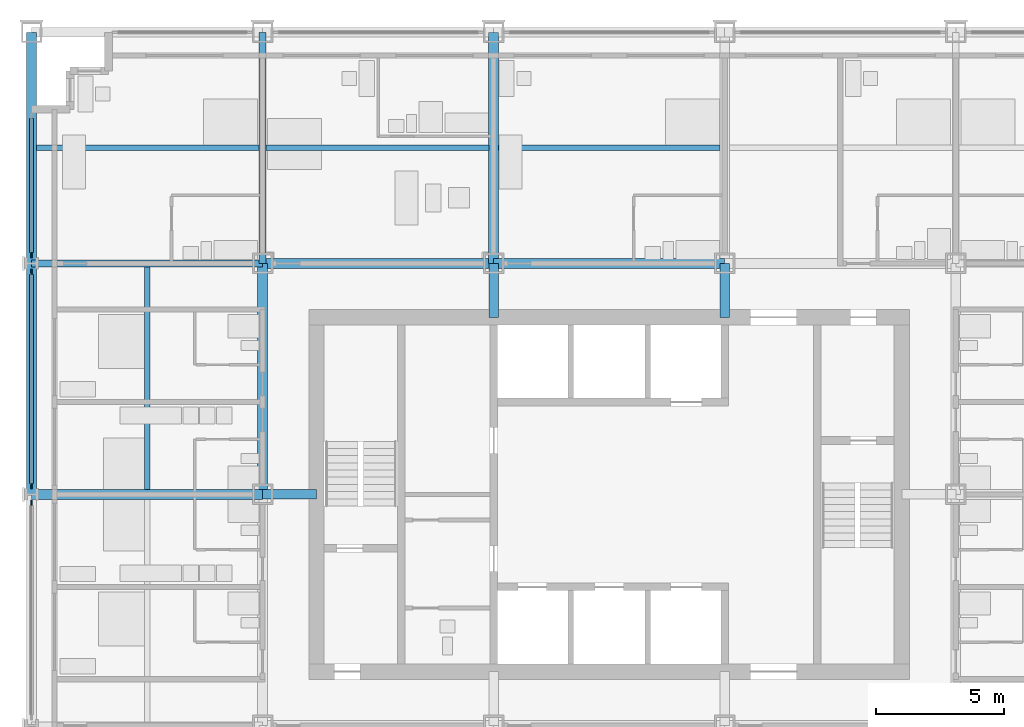
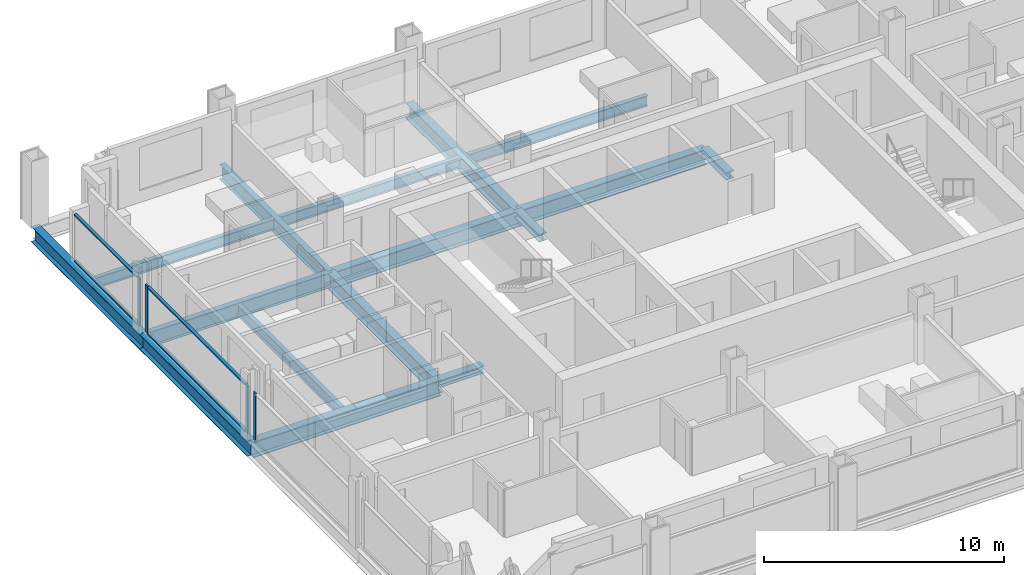
# One storey, part 4 of 16: 13 beams, 11 members, 3 elements without a shape of their own.
"""IFC4 building model written with IfcOpenShell, lengths in metres."""

from ifc_helpers import new_model, si_unit, direction, frame, origin, origin_2d, place, context, subcontext, project, spatial, rectangle, i_section, extrude, material, material_profile, profile_set, type_object, element, aggregate, save


model = new_model("IFC4")

# Units and contexts
model_context = context("Model", 3, precision=1e-05, world=origin(), true_north=direction((0.0, 1.0)))
body_context = subcontext(model_context, "Body", "Model", "MODEL_VIEW")
ifc_project = project(units=[si_unit("LENGTHUNIT", "METRE"), si_unit("AREAUNIT", "SQUARE_METRE"), si_unit("VOLUMEUNIT", "CUBIC_METRE"), si_unit("PLANEANGLEUNIT", "RADIAN"), si_unit("MASSUNIT", "GRAM", prefix="KILO")], contexts=[model_context])

# Site, building, storey
site_placement = place(None, origin())
site = spatial("IfcSite", under=ifc_project, at=site_placement, CompositionType="ELEMENT")
building_placement = place(site_placement, origin())
building = spatial("IfcBuilding", under=site, at=building_placement, Name="Loomwork Tower", CompositionType="ELEMENT")
storey_placement = place(building_placement, frame((0.0, 0.0, 107.800048828125)))
storey = spatial("IfcBuildingStorey", under=building, at=storey_placement, Name="L28", CompositionType="ELEMENT", Elevation=107.800048828125)

# Beams
ifc_material_1 = material(Name="Steel ASTM A992", Category="steel")
ifc_material_profile_1 = material_profile(ifc_material_1, i_section(OverallWidth=0.383544921875, OverallDepth=0.794921875, WebThickness=0.02099609375, FlangeThickness=0.0380859375, at=origin_2d()), Name="W30x235")
ifc_profile_set_1 = profile_set([ifc_material_profile_1], Name="Steel ASTM A992")
beam_type_1 = type_object("IfcBeamType", Name="CORE FLANK GIRDER W30x235", PredefinedType="BEAM", material=ifc_profile_set_1)
for number, where, z_axis, x_axis, name in (
    (1, (0.0, 18.0, -0.59765625), (1.0, 0.0, 0.0), (0.0, 1.0, 0.0), "Core Flank Girder F/2-F/3 L28"),
    (2, (9.0, 27.0, -0.59765625), (1.0, 0.0, 0.0), (0.0, 1.0, 0.0), "Core Flank Girder G/3-G/4 L28"),
    (3, (18.0, 27.0, -0.59765625), (1.0, 0.0, 0.0), (0.0, 1.0, 0.0), "Core Flank Girder G/4-G/5 L28"),
    (4, (9.0, 18.0, -0.59765625), (0.0, 1.0, 0.0), (-1.0, 0.0, 0.0), "Core Flank Girder F/3-G/3 L28"),
    (5, (18.0, 27.0, -0.59765625), (0.0, 1.0, 0.0), (-1.0, 0.0, 0.0), "Core Flank Girder G/4-H/4 L28"),
):
    element("IfcBeam", number, at=place(storey_placement, frame(where, z_axis=z_axis, x_axis=x_axis)), inside=storey, type_object=beam_type_1, Name=name, PredefinedType="BEAM", context=body_context, shape_type="SweptSolid", body=[
        extrude(i_section(OverallWidth=0.383544921875, OverallDepth=0.794921875, WebThickness=0.02099609375, FlangeThickness=0.0380859375, at=origin_2d()), origin(), (0.0, 0.0, 1.0), 9.0),
    ])

# Members
ifc_material_2 = material(Name="Steel ASTM A992", Category="steel")
ifc_material_profile_2 = material_profile(ifc_material_2, i_section(OverallWidth=0.373291015625, OverallDepth=0.373291015625, WebThickness=0.016357421875, FlangeThickness=0.026123046875, at=origin_2d()), Name="W14x132")
ifc_profile_set_2 = profile_set([ifc_material_profile_2], Name="Steel ASTM A992")
member_type_1 = type_object("IfcMemberType", Name="CORE LINK STRUT W14x132", PredefinedType="STRUT", material=ifc_profile_set_2)
for number, where, z_axis, x_axis, name in (
    (6, (27.0, 27.0, -0.38671875), (0.0, -1.0, 0.0), (1.0, 0.0, 0.0), "Core link strut G/5-27.000,24.900 L28"),
    (7, (18.0, 27.0, -0.38671875), (0.0, -1.0, 0.0), (1.0, 0.0, 0.0), "Core link strut G/4-18.000,24.900 L28"),
    (8, (9.0, 18.0, -0.38671875), (1.0, 0.0, 0.0), (0.0, 1.0, 0.0), "Core link strut F/3-11.100,18.000 L28"),
):
    element("IfcMember", number, at=place(storey_placement, frame(where, z_axis=z_axis, x_axis=x_axis)), inside=storey, type_object=member_type_1, Name=name, PredefinedType="STRUT", context=body_context, shape_type="SweptSolid", body=[
        extrude(i_section(OverallWidth=0.373291015625, OverallDepth=0.373291015625, WebThickness=0.016357421875, FlangeThickness=0.026123046875, at=origin_2d()), origin(), (0.0, 0.0, 1.0), 2.10009765625),
    ])

# Beams
ifc_material_3 = material(Name="Steel ASTM A992", Category="steel")
ifc_material_profile_3 = material_profile(ifc_material_3, i_section(OverallWidth=0.2666015625, OverallDepth=0.761962890625, WebThickness=0.014404296875, FlangeThickness=0.021484375, at=origin_2d()), Name="W30x116")
ifc_profile_set_3 = profile_set([ifc_material_profile_3], Name="Steel ASTM A992")
beam_type_2 = type_object("IfcBeamType", Name="FLOOR GIRDER W30x116", PredefinedType="BEAM", material=ifc_profile_set_3)
for number, where, z_axis, x_axis, name in (
    (9, (0.0, 27.0, -0.5810546875), (1.0, 0.0, 0.0), (0.0, 1.0, 0.0), "Floor Girder G/2-G/3 L28"),
    (10, (9.0, 27.0, -0.5810546875), (0.0, 1.0, 0.0), (-1.0, 0.0, 0.0), "Floor Girder G/3-H/3 L28"),
):
    element("IfcBeam", number, at=place(storey_placement, frame(where, z_axis=z_axis, x_axis=x_axis)), inside=storey, type_object=beam_type_2, Name=name, PredefinedType="BEAM", context=body_context, shape_type="SweptSolid", body=[
        extrude(i_section(OverallWidth=0.2666015625, OverallDepth=0.761962890625, WebThickness=0.014404296875, FlangeThickness=0.021484375, at=origin_2d()), origin(), (0.0, 0.0, 1.0), 9.0),
    ])
ifc_material_4 = material(Name="Steel ASTM A992", Category="steel")
ifc_material_profile_4 = material_profile(ifc_material_4, i_section(OverallWidth=0.2109375, OverallDepth=0.53857421875, WebThickness=0.011474609375, FlangeThickness=0.018798828125, at=origin_2d()), Name="W21x73")
ifc_profile_set_4 = profile_set([ifc_material_profile_4], Name="Steel ASTM A992")
beam_type_3 = type_object("IfcBeamType", Name="FLOOR JOIST W21x73", PredefinedType="JOIST", material=ifc_profile_set_4)
beam_1_placement = place(storey_placement, frame((4.5, 18.19091796875, -0.46923828125), z_axis=(0.0, 1.0, 0.0), x_axis=(-1.0, 0.0, 0.0)))
element("IfcBeam", 11, at=beam_1_placement, inside=storey, type_object=beam_type_3, Name="Floor Joist 4.500,18.000-4.500,27.000 L28", PredefinedType="JOIST", context=body_context, shape_type="SweptSolid", body=[
    extrude(i_section(OverallWidth=0.2109375, OverallDepth=0.53857421875, WebThickness=0.011474609375, FlangeThickness=0.018798828125, at=origin_2d()), origin(), (0.0, 0.0, 1.0), 8.676025390625),
])
beam_2_placement = place(storey_placement, frame((0.18994140625, 31.5, -0.46923828125), z_axis=(1.0, 0.0, 0.0), x_axis=(0.0, 1.0, 0.0)))
element("IfcBeam", 12, at=beam_2_placement, inside=storey, type_object=beam_type_3, Name="Floor Joist 0.000,31.500-9.000,31.500 L28", PredefinedType="JOIST", context=body_context, shape_type="SweptSolid", body=[
    extrude(i_section(OverallWidth=0.2109375, OverallDepth=0.53857421875, WebThickness=0.011474609375, FlangeThickness=0.018798828125, at=origin_2d()), origin(), (0.0, 0.0, 1.0), 8.677001953125),
])
beam_3_placement = place(storey_placement, frame((9.133056640625, 31.5, -0.46923828125), z_axis=(1.0, 0.0, 0.0), x_axis=(0.0, 1.0, 0.0)))
element("IfcBeam", 13, at=beam_3_placement, inside=storey, type_object=beam_type_3, Name="Floor Joist 9.000,31.500-18.000,31.500 L28", PredefinedType="JOIST", context=body_context, shape_type="SweptSolid", body=[
    extrude(i_section(OverallWidth=0.2109375, OverallDepth=0.53857421875, WebThickness=0.011474609375, FlangeThickness=0.018798828125, at=origin_2d()), origin(), (0.0, 0.0, 1.0), 8.676025390625),
])
beam_4_placement = place(storey_placement, frame((18.19091796875, 31.5, -0.46923828125), z_axis=(1.0, 0.0, 0.0), x_axis=(0.0, 1.0, 0.0)))
element("IfcBeam", 14, at=beam_4_placement, inside=storey, type_object=beam_type_3, Name="Floor Joist 18.000,31.500-27.000,31.500 L28", PredefinedType="JOIST", context=body_context, shape_type="SweptSolid", body=[
    extrude(i_section(OverallWidth=0.2109375, OverallDepth=0.53857421875, WebThickness=0.011474609375, FlangeThickness=0.018798828125, at=origin_2d()), origin(), (0.0, 0.0, 1.0), 8.6181640625),
])

# Curtain wall, member
ifc_material_5 = material(Name="Aluminium curtain wall frame", Category="aluminium")
curtain_wall_type = type_object("IfcCurtainWallType", Name="Outer skin glazing hotel", PredefinedType="NOTDEFINED", material=ifc_material_5)
curtain_wall_1_placement = place(storey_placement, origin())
curtain_wall_1 = element("IfcCurtainWall", 15, at=curtain_wall_1_placement, inside=storey, type_object=curtain_wall_type, Name="Outer skin glazing hotel cw/W-9", PredefinedType="NOTDEFINED")
ifc_material_6 = material(Name="Aluminium curtain wall frame", Category="aluminium")
ifc_material_profile_5 = material_profile(ifc_material_6, rectangle(XDim=0.06494140625, YDim=0.199951171875, at=origin_2d()), Name="AL 65x200")
ifc_profile_set_5 = profile_set([ifc_material_profile_5], Name="Aluminium curtain wall frame")
member_type_2 = type_object("IfcMemberType", Name="Outer skin glazing hotel mullion", PredefinedType="MULLION", material=ifc_profile_set_5)
member_1_placement = place(storey_placement, frame((0.0, 17.67529296875, 0.0), z_axis=(0.0, 0.0, 1.0), x_axis=(1.0, 0.0, 0.0)))
member_1 = element("IfcMember", 16, at=member_1_placement, type_object=member_type_2, Name="CW1 mullion 1", PredefinedType="MULLION", context=body_context, shape_type="SweptSolid", body=[
    extrude(rectangle(XDim=0.06494140625, YDim=0.199951171875, at=origin_2d()), origin(), (0.0, 0.0, 1.0), 2.420166015625),
])
aggregate(curtain_wall_1, [member_1])

# Curtain wall, members
curtain_wall_2_placement = place(storey_placement, origin())
curtain_wall_2 = element("IfcCurtainWall", 17, at=curtain_wall_2_placement, inside=storey, type_object=curtain_wall_type, Name="Outer skin glazing hotel cw/W-18", PredefinedType="NOTDEFINED")
member_2_placement = place(storey_placement, frame((0.0, 26.67529296875, 0.0), z_axis=(0.0, 0.0, 1.0), x_axis=(1.0, 0.0, 0.0)))
member_2 = element("IfcMember", 18, at=member_2_placement, type_object=member_type_2, Name="CW1 mullion 1", PredefinedType="MULLION", context=body_context, shape_type="SweptSolid", body=[
    extrude(rectangle(XDim=0.06494140625, YDim=0.199951171875, at=origin_2d()), origin(), (0.0, 0.0, 1.0), 2.420166015625),
])
member_3_placement = place(storey_placement, frame((0.0, 18.32470703125, 0.0), z_axis=(0.0, 0.0, 1.0), x_axis=(1.0, 0.0, 0.0)))
member_3 = element("IfcMember", 19, at=member_3_placement, type_object=member_type_2, Name="CW1 mullion 2", PredefinedType="MULLION", context=body_context, shape_type="SweptSolid", body=[
    extrude(rectangle(XDim=0.06494140625, YDim=0.199951171875, at=origin_2d()), origin(), (0.0, 0.0, 1.0), 2.420166015625),
])

# Curtain wall, member
curtain_wall_3_placement = place(storey_placement, origin())
curtain_wall_3 = element("IfcCurtainWall", 20, at=curtain_wall_3_placement, inside=storey, type_object=curtain_wall_type, Name="Outer skin glazing hotel cw/W-27", PredefinedType="NOTDEFINED")
member_4_placement = place(storey_placement, frame((0.0, 27.32470703125, 0.0), z_axis=(0.0, 0.0, 1.0), x_axis=(1.0, 0.0, 0.0)))
member_4 = element("IfcMember", 21, at=member_4_placement, type_object=member_type_2, Name="CW1 mullion 2", PredefinedType="MULLION", context=body_context, shape_type="SweptSolid", body=[
    extrude(rectangle(XDim=0.06494140625, YDim=0.199951171875, at=origin_2d()), origin(), (0.0, 0.0, 1.0), 2.420166015625),
])

# Member
ifc_material_7 = material(Name="Aluminium curtain wall frame", Category="aluminium")
ifc_material_profile_6 = material_profile(ifc_material_7, rectangle(XDim=0.14990234375, YDim=0.06494140625, at=origin_2d()), Name="AL 65x150")
ifc_profile_set_6 = profile_set([ifc_material_profile_6], Name="Aluminium curtain wall frame")
member_type_3 = type_object("IfcMemberType", Name="Outer skin glazing hotel transom", PredefinedType="USERDEFINED", material=ifc_profile_set_6)
member_5_placement = place(storey_placement, frame((0.0, 26.5751953125, 0.032470703125), z_axis=(0.0, -1.0, 0.0), x_axis=(1.0, 0.0, 0.0)))
member_5 = element("IfcMember", 22, at=member_5_placement, type_object=member_type_3, Name="CW1 transom 1.1", ObjectType="TRANSOM", PredefinedType="USERDEFINED", context=body_context, shape_type="SweptSolid", body=[
    extrude(rectangle(XDim=0.14990234375, YDim=0.06494140625, at=origin_2d()), origin(), (0.0, 0.0, 1.0), 8.150390625),
])

member_6_placement = place(storey_placement, frame((0.0, 26.5751953125, 2.3876953125), z_axis=(0.0, -1.0, 0.0), x_axis=(1.0, 0.0, 0.0)))
member_6 = element("IfcMember", 23, at=member_6_placement, type_object=member_type_3, Name="CW1 transom 1.2", ObjectType="TRANSOM", PredefinedType="USERDEFINED", context=body_context, shape_type="SweptSolid", body=[
    extrude(rectangle(XDim=0.14990234375, YDim=0.06494140625, at=origin_2d()), origin(), (0.0, 0.0, 1.0), 8.150390625),
])

aggregate(curtain_wall_2, [member_2, member_3, member_5, member_6])

member_7_placement = place(storey_placement, frame((0.0, 32.64990234375, 0.032470703125), z_axis=(0.0, -1.0, 0.0), x_axis=(1.0, 0.0, 0.0)))
member_7 = element("IfcMember", 24, at=member_7_placement, type_object=member_type_3, Name="CW1 transom 1.1", ObjectType="TRANSOM", PredefinedType="USERDEFINED", context=body_context, shape_type="SweptSolid", body=[
    extrude(rectangle(XDim=0.14990234375, YDim=0.06494140625, at=origin_2d()), origin(), (0.0, 0.0, 1.0), 5.22509765625),
])

member_8_placement = place(storey_placement, frame((0.0, 32.64990234375, 2.3876953125), z_axis=(0.0, -1.0, 0.0), x_axis=(1.0, 0.0, 0.0)))
member_8 = element("IfcMember", 25, at=member_8_placement, type_object=member_type_3, Name="CW1 transom 1.2", ObjectType="TRANSOM", PredefinedType="USERDEFINED", context=body_context, shape_type="SweptSolid", body=[
    extrude(rectangle(XDim=0.14990234375, YDim=0.06494140625, at=origin_2d()), origin(), (0.0, 0.0, 1.0), 5.22509765625),
])

aggregate(curtain_wall_3, [member_4, member_7, member_8])

# Beams
ifc_material_8 = material(Name="Steel ASTM A992", Category="steel")
ifc_material_profile_7 = material_profile(ifc_material_8, i_section(OverallWidth=0.381103515625, OverallDepth=0.77978515625, WebThickness=0.01806640625, FlangeThickness=0.0302734375, at=origin_2d()), Name="W30x191")
ifc_profile_set_7 = profile_set([ifc_material_profile_7], Name="Steel ASTM A992")
beam_type_4 = type_object("IfcBeamType", Name="SPANDREL GIRDER W30x191", PredefinedType="SPANDREL", material=ifc_profile_set_7)
for number, where, z_axis, x_axis, name in (
    (26, (0.0, 18.0, -0.58984375), (0.0, 1.0, 0.0), (-1.0, 0.0, 0.0), "Spandrel Girder F/2-G/2 L28"),
    (27, (0.0, 27.0, -0.58984375), (0.0, 1.0, 0.0), (-1.0, 0.0, 0.0), "Spandrel Girder G/2-H/2 L28"),
):
    element("IfcBeam", number, at=place(storey_placement, frame(where, z_axis=z_axis, x_axis=x_axis)), inside=storey, type_object=beam_type_4, Name=name, PredefinedType="SPANDREL", context=body_context, shape_type="SweptSolid", body=[
        extrude(i_section(OverallWidth=0.381103515625, OverallDepth=0.77978515625, WebThickness=0.01806640625, FlangeThickness=0.0302734375, at=origin_2d()), origin(), (0.0, 0.0, 1.0), 9.0),
    ])

save(model, "model.ifc")
